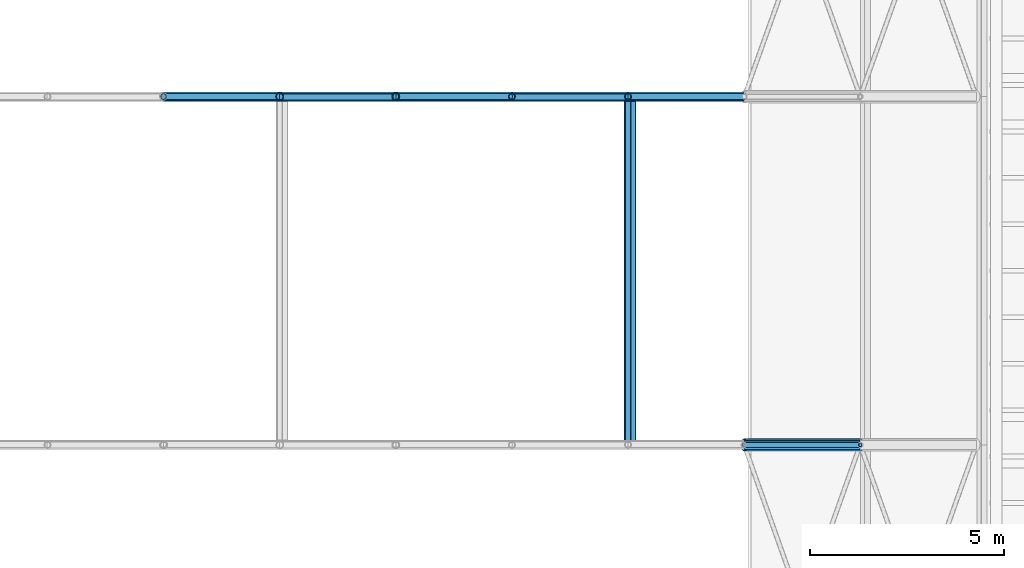
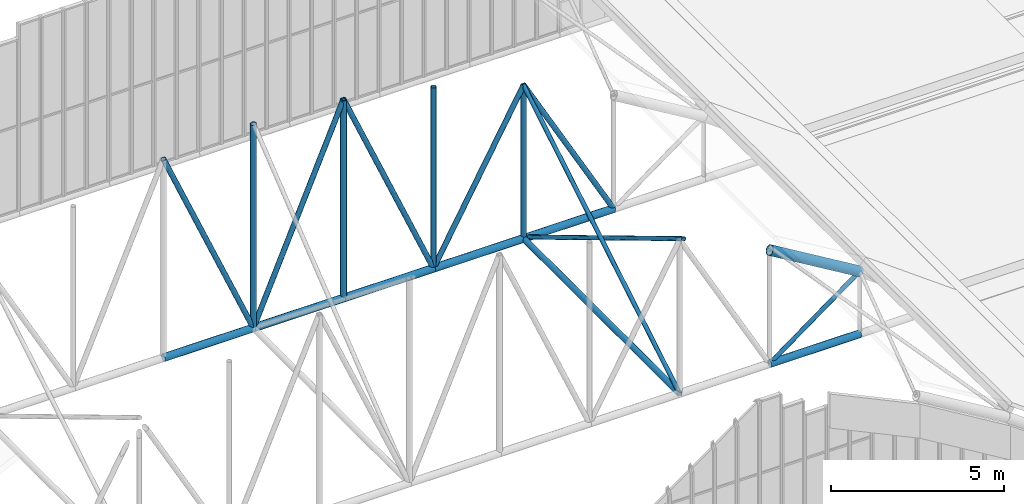
# One storey, part 73 of 153: 20 members.
"""IFC4 building model written with IfcOpenShell, lengths in metres."""

from ifc_helpers import new_model, si_unit, direction, frame, origin, origin_2d, place, context, subcontext, project, spatial, hollow_circle, extrude, material, material_profile, profile_set, type_object, element, save


model = new_model("IFC4")

# Units and contexts
model_context = context("Model", 3, precision=1e-05, world=origin(), true_north=direction((0.0, 1.0)))
body_context = subcontext(model_context, "Body", "Model", "MODEL_VIEW")
ifc_project = project(units=[si_unit("LENGTHUNIT", "METRE"), si_unit("AREAUNIT", "SQUARE_METRE"), si_unit("VOLUMEUNIT", "CUBIC_METRE"), si_unit("PLANEANGLEUNIT", "RADIAN"), si_unit("MASSUNIT", "GRAM", prefix="KILO")], contexts=[model_context])

# Site, building, storey
site_placement = place(None, origin())
site = spatial("IfcSite", under=ifc_project, at=site_placement, CompositionType="ELEMENT")
building_placement = place(site_placement, origin())
building = spatial("IfcBuilding", under=site, at=building_placement, Name="Baradari Gate Terminus", CompositionType="ELEMENT")
storey_placement = place(building_placement, frame((0.0, 0.0, 11.699951171875)))
storey = spatial("IfcBuildingStorey", under=building, at=storey_placement, Name="L02", CompositionType="ELEMENT", Elevation=11.699951171875)

# Members
ifc_material_1 = material(Name="Steel S355", Category="steel")
ifc_material_profile_1 = material_profile(ifc_material_1, hollow_circle(Radius=0.06982421875, WallThickness=0.008056640625, at=origin_2d()), Name="CHS 139.7x8")
ifc_profile_set_1 = profile_set([ifc_material_profile_1], Name="Steel S355")
member_type_1 = type_object("IfcMemberType", Name="Hall vault diagonal CHS 139.7x8", PredefinedType="BRACE", material=ifc_profile_set_1)
member_1_placement = place(storey_placement, frame((168.0, 90.0, 2.322265625), z_axis=(-0.80641125493, 0.0, -0.591355128432), x_axis=(0.0, -1.0, 0.0)))
element("IfcMember", 1, at=member_1_placement, inside=storey, type_object=member_type_1, Name="TR/L02/VT2-DG10", PredefinedType="BRACE", context=body_context, shape_type="SweptSolid", body=[
    extrude(hollow_circle(Radius=0.06982421875, WallThickness=0.008056640625, at=origin_2d()), origin(), (0.0, 0.0, 1.0), 3.72021484375),
])
ifc_material_2 = material(Name="Steel S355", Category="steel")
ifc_material_profile_2 = material_profile(ifc_material_2, hollow_circle(Radius=0.084228515625, WallThickness=0.008056640625, at=origin_2d()), Name="CHS 168.3x8")
ifc_profile_set_2 = profile_set([ifc_material_profile_2], Name="Steel S355")
member_type_2 = type_object("IfcMemberType", Name="Hall vault diagonal CHS 168.3x8", PredefinedType="BRACE", material=ifc_profile_set_2)
for number, where, z_axis, x_axis, name in (
    (2, (150.0, 99.0, 7.122314453125), (0.393919298579, 0.0, -0.919145030018), (0.0, 1.0, 0.0), "TR/L02/VT3-DG05"),
    (3, (156.0, 99.0, 7.122314453125), (-0.393919298579, 0.0, -0.919145030018), (0.0, -1.0, 0.0), "TR/L02/VT3-DG06"),
    (4, (156.0, 99.0, 7.122314453125), (0.393919298579, 0.0, -0.919145030018), (0.0, 1.0, 0.0), "TR/L02/VT3-DG07"),
):
    element("IfcMember", number, at=place(storey_placement, frame(where, z_axis=z_axis, x_axis=x_axis)), inside=storey, type_object=member_type_2, Name=name, PredefinedType="BRACE", context=body_context, shape_type="SweptSolid", body=[
        extrude(hollow_circle(Radius=0.084228515625, WallThickness=0.008056640625, at=origin_2d()), origin(), (0.0, 0.0, 1.0), 7.61572265625),
    ])
for number, where, z_axis, x_axis, name in (
    (5, (162.0, 99.0, 5.522216796875), (-0.485649642493, 0.0, -0.87415354758), (0.0, -1.0, 0.0), "TR/L02/VT3-DG08"),
    (6, (162.0, 99.0, 5.522216796875), (0.485649642493, 0.0, -0.87415354758), (0.0, 1.0, 0.0), "TR/L02/VT3-DG09"),
):
    element("IfcMember", number, at=place(storey_placement, frame(where, z_axis=z_axis, x_axis=x_axis)), inside=storey, type_object=member_type_2, Name=name, PredefinedType="BRACE", context=body_context, shape_type="SweptSolid", body=[
        extrude(hollow_circle(Radius=0.084228515625, WallThickness=0.008056640625, at=origin_2d()), origin(), (0.0, 0.0, 1.0), 6.17724609375),
    ])
ifc_material_3 = material(Name="Steel S355", Category="steel")
ifc_material_profile_3 = material_profile(ifc_material_3, hollow_circle(Radius=0.084228515625, WallThickness=0.008056640625, at=origin_2d()), Name="CHS 168.3x8")
ifc_profile_set_3 = profile_set([ifc_material_profile_3], Name="Steel S355")
member_type_3 = type_object("IfcMemberType", Name="Hall vault post CHS 168.3x8", PredefinedType="POST", material=ifc_profile_set_3)
member_2_placement = place(storey_placement, frame((159.0, 99.0, 0.122314453125), z_axis=(0.0, 0.0, 1.0), x_axis=(1.0, 0.0, 0.0)))
element("IfcMember", 7, at=member_2_placement, inside=storey, type_object=member_type_3, Name="TR/L02/VT3-PS08", PredefinedType="POST", context=body_context, shape_type="SweptSolid", body=[
    extrude(hollow_circle(Radius=0.084228515625, WallThickness=0.008056640625, at=origin_2d()), origin(), (0.0, 0.0, 1.0), 6.39990234375),
])
member_3_placement = place(storey_placement, frame((162.0, 99.0, 0.122314453125), z_axis=(0.0, 0.0, 1.0), x_axis=(1.0, 0.0, 0.0)))
element("IfcMember", 8, at=member_3_placement, inside=storey, type_object=member_type_3, Name="TR/L02/VT3-PS09", PredefinedType="POST", context=body_context, shape_type="SweptSolid", body=[
    extrude(hollow_circle(Radius=0.084228515625, WallThickness=0.008056640625, at=origin_2d()), origin(), (0.0, 0.0, 1.0), 5.39990234375),
])
ifc_material_4 = material(Name="Steel S355", Category="steel")
ifc_material_profile_4 = material_profile(ifc_material_4, hollow_circle(Radius=0.096923828125, WallThickness=0.008056640625, at=origin_2d()), Name="CHS 193.7x8")
ifc_profile_set_4 = profile_set([ifc_material_profile_4], Name="Steel S355")
member_type_4 = type_object("IfcMemberType", Name="Hall vault post CHS 193.7x8", PredefinedType="POST", material=ifc_profile_set_4)
member_4_placement = place(storey_placement, frame((153.0, 99.0, 0.122314453125), z_axis=(0.0, 0.0, 1.0), x_axis=(1.0, 0.0, 0.0)))
element("IfcMember", 9, at=member_4_placement, inside=storey, type_object=member_type_4, Name="TR/L02/VT3-PS06", PredefinedType="POST", context=body_context, shape_type="SweptSolid", body=[
    extrude(hollow_circle(Radius=0.096923828125, WallThickness=0.008056640625, at=origin_2d()), origin(), (0.0, 0.0, 1.0), 7.199951171875),
])
member_5_placement = place(storey_placement, frame((156.0, 99.0, 0.122314453125), z_axis=(0.0, 0.0, 1.0), x_axis=(1.0, 0.0, 0.0)))
element("IfcMember", 10, at=member_5_placement, inside=storey, type_object=member_type_4, Name="TR/L02/VT3-PS07", PredefinedType="POST", context=body_context, shape_type="SweptSolid", body=[
    extrude(hollow_circle(Radius=0.096923828125, WallThickness=0.008056640625, at=origin_2d()), origin(), (0.0, 0.0, 1.0), 7.0),
])
ifc_material_5 = material(Name="Steel S355", Category="steel")
ifc_material_profile_5 = material_profile(ifc_material_5, hollow_circle(Radius=0.122314453125, WallThickness=0.010009765625, at=origin_2d()), Name="CHS 244.5x10")
ifc_profile_set_5 = profile_set([ifc_material_profile_5], Name="Steel S355")
member_type_5 = type_object("IfcMemberType", Name="Hall vault tie CHS 244.5x10", PredefinedType="CHORD", material=ifc_profile_set_5)
for number, where, z_axis, x_axis, name in (
    (11, (165.0, 90.0, 0.122314453125), (1.0, 0.0, 0.0), (0.0, 1.0, 0.0), "TR/L02/VT2-BC10"),
    (12, (150.0, 99.0, 0.122314453125), (1.0, 0.0, 0.0), (0.0, 1.0, 0.0), "TR/L02/VT3-BC05"),
    (13, (153.0, 99.0, 0.122314453125), (1.0, 0.0, 0.0), (0.0, 1.0, 0.0), "TR/L02/VT3-BC06"),
    (14, (156.0, 99.0, 0.122314453125), (1.0, 0.0, 0.0), (0.0, 1.0, 0.0), "TR/L02/VT3-BC07"),
    (15, (159.0, 99.0, 0.122314453125), (1.0, 0.0, 0.0), (0.0, 1.0, 0.0), "TR/L02/VT3-BC08"),
    (16, (162.0, 99.0, 0.122314453125), (1.0, 0.0, 0.0), (0.0, 1.0, 0.0), "TR/L02/VT3-BC09"),
):
    element("IfcMember", number, at=place(storey_placement, frame(where, z_axis=z_axis, x_axis=x_axis)), inside=storey, type_object=member_type_5, Name=name, PredefinedType="CHORD", context=body_context, shape_type="SweptSolid", body=[
        extrude(hollow_circle(Radius=0.122314453125, WallThickness=0.010009765625, at=origin_2d()), origin(), (0.0, 0.0, 1.0), 3.0),
    ])
ifc_material_6 = material(Name="Steel S355", Category="steel")
ifc_material_profile_6 = material_profile(ifc_material_6, hollow_circle(Radius=0.161865234375, WallThickness=0.012451171875, at=origin_2d()), Name="CHS 323.9x12.5")
ifc_profile_set_6 = profile_set([ifc_material_profile_6], Name="Steel S355")
member_type_6 = type_object("IfcMemberType", Name="Hall vault top chord CHS 323.9x12.5", PredefinedType="CHORD", material=ifc_profile_set_6)
member_6_placement = place(storey_placement, frame((165.0, 90.0, 4.122314453125), z_axis=(0.857486768376, 0.0, -0.514506017516), x_axis=(0.0, 1.0, 0.0)))
element("IfcMember", 17, at=member_6_placement, inside=storey, type_object=member_type_6, Name="TR/L02/VT2-TC10", PredefinedType="CHORD", context=body_context, shape_type="SweptSolid", body=[
    extrude(hollow_circle(Radius=0.161865234375, WallThickness=0.012451171875, at=origin_2d()), origin(), (0.0, 0.0, 1.0), 3.49853515625),
])
ifc_material_7 = material(Name="Steel S355", Category="steel")
ifc_material_profile_7 = material_profile(ifc_material_7, hollow_circle(Radius=0.096923828125, WallThickness=0.008056640625, at=origin_2d()), Name="CHS 193.7x8")
ifc_profile_set_7 = profile_set([ifc_material_profile_7], Name="Steel S355")
member_type_7 = type_object("IfcMemberType", Name="Shed bottom strut CHS 193.7x8", PredefinedType="STRUT", material=ifc_profile_set_7)
member_7_placement = place(storey_placement, frame((162.0, 90.0, 0.122314453125), z_axis=(0.0, 1.0, 0.0), x_axis=(-1.0, 0.0, 0.0)))
element("IfcMember", 18, at=member_7_placement, inside=storey, type_object=member_type_7, Name="TR/L02/VPB2-ST09", PredefinedType="STRUT", context=body_context, shape_type="SweptSolid", body=[
    extrude(hollow_circle(Radius=0.096923828125, WallThickness=0.008056640625, at=origin_2d()), origin(), (0.0, 0.0, 1.0), 9.0),
])
ifc_material_8 = material(Name="Steel S355", Category="steel")
ifc_material_profile_8 = material_profile(ifc_material_8, hollow_circle(Radius=0.06982421875, WallThickness=0.008056640625, at=origin_2d()), Name="CHS 139.7x8")
ifc_profile_set_8 = profile_set([ifc_material_profile_8], Name="Steel S355")
member_type_8 = type_object("IfcMemberType", Name="Shed vertical brace CHS 139.7x8", PredefinedType="BRACE", material=ifc_profile_set_8)
for number, where, z_axis, x_axis, name in (
    (19, (162.0, 90.0, 0.122314453125), (0.0, 0.857497030584, 0.514488913912), (-1.0, 0.0, 0.0), "TR/L02/VPB2-VB09A"),
    (20, (162.1396484375, 90.0, 5.522216796875), (0.0, 0.857497030584, -0.514488913912), (-1.0, 0.0, 0.0), "TR/L02/VPB2-VB09B"),
):
    element("IfcMember", number, at=place(storey_placement, frame(where, z_axis=z_axis, x_axis=x_axis)), inside=storey, type_object=member_type_8, Name=name, PredefinedType="BRACE", context=body_context, shape_type="SweptSolid", body=[
        extrude(hollow_circle(Radius=0.06982421875, WallThickness=0.008056640625, at=origin_2d()), origin(), (0.0, 0.0, 1.0), 10.49560546875),
    ])

save(model, "model.ifc")
